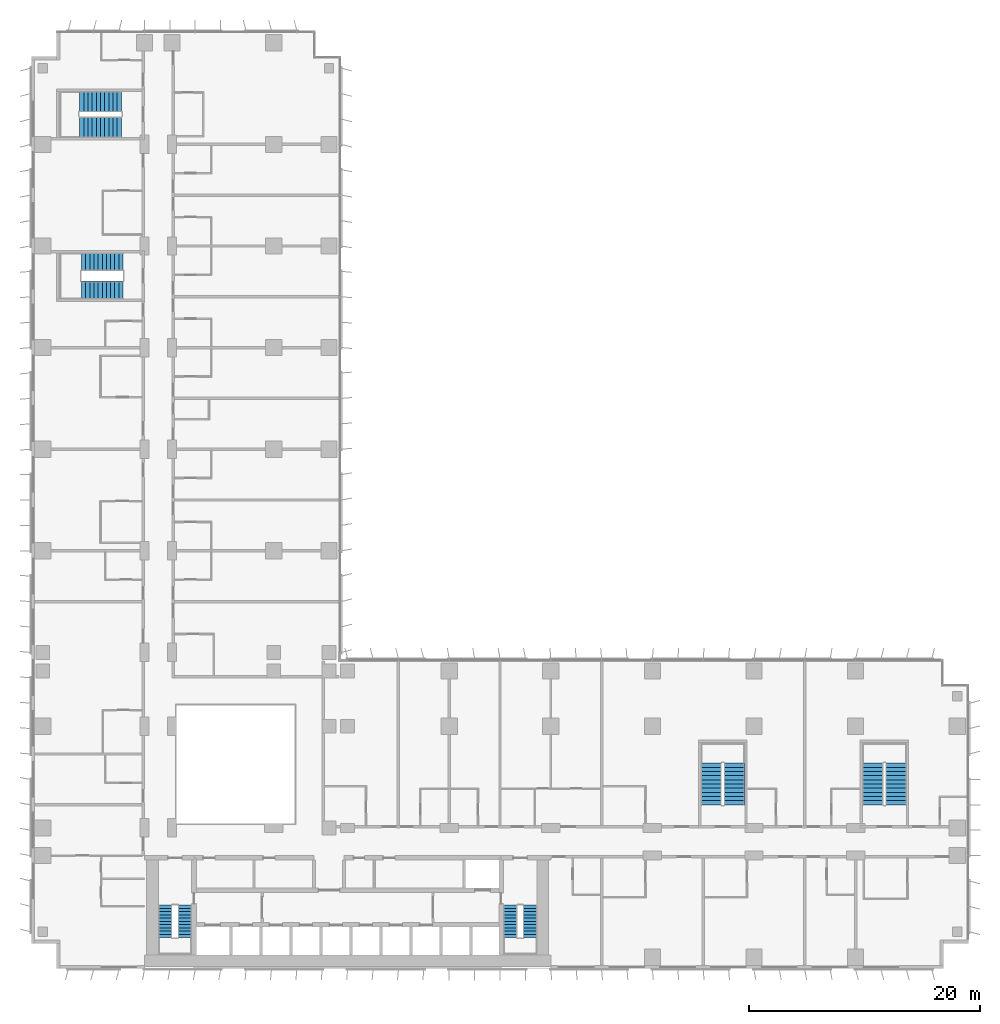
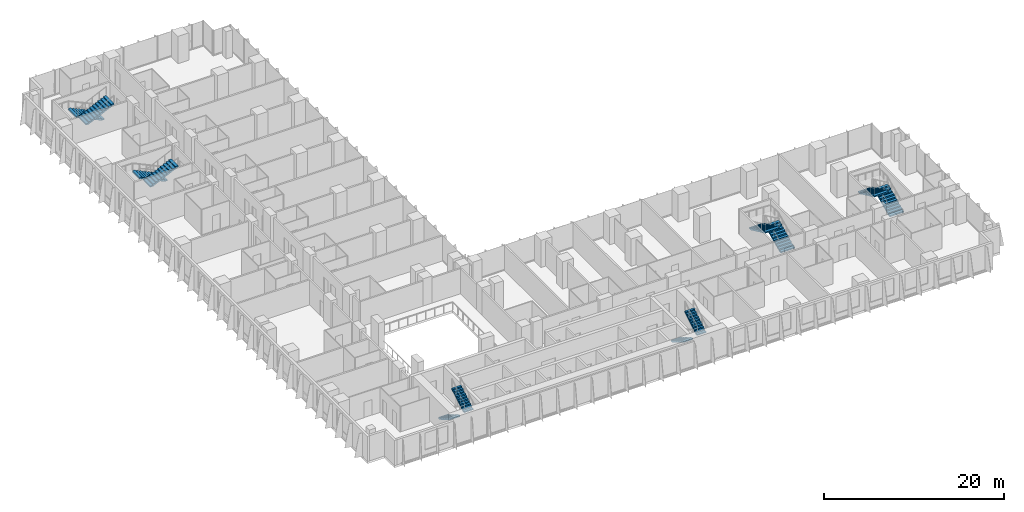
# One storey, part 20 of 24: 12 stair flights, 6 elements without a shape of their own.
"""IFC4 building model written with IfcOpenShell, lengths in metres."""

from ifc_helpers import new_model, si_unit, direction, frame, origin, place, context, subcontext, project, spatial, polyline, outline, extrude, material, type_object, element, aggregate, save


model = new_model("IFC4")

# Units and contexts
model_context = context("Model", 3, precision=1e-05, world=origin(), true_north=direction((0.0, 1.0)))
body_context = subcontext(model_context, "Body", "Model", "MODEL_VIEW")
ifc_project = project(units=[si_unit("LENGTHUNIT", "METRE"), si_unit("AREAUNIT", "SQUARE_METRE"), si_unit("VOLUMEUNIT", "CUBIC_METRE"), si_unit("PLANEANGLEUNIT", "RADIAN"), si_unit("MASSUNIT", "GRAM", prefix="KILO")], contexts=[model_context])

# Site, building, storey
site_placement = place(None, origin())
site = spatial("IfcSite", under=ifc_project, at=site_placement, CompositionType="ELEMENT")
building_placement = place(site_placement, origin())
building = spatial("IfcBuilding", under=site, at=building_placement, Name="Kemantara Hotel Tower", CompositionType="ELEMENT")
storey_placement = place(building_placement, frame((0.0, 0.0, 56.199951171875)))
storey = spatial("IfcBuildingStorey", under=building, at=storey_placement, Name="L12", CompositionType="ELEMENT", Elevation=56.199951171875)

# Stair, stair flights
ifc_material = material(Name="Concrete fc 40 MPa", Category="concrete")
stair_type_1 = type_object("IfcStairType", Name="Stair 1200 wide 22 risers of 168 x 280 mm", PredefinedType="HALF_TURN_STAIR", material=ifc_material)
stair_1_placement = place(storey_placement, origin())
stair_1 = element("IfcStair", 1, at=stair_1_placement, inside=storey, type_object=stair_type_1, Name="L12 Exit stair ST1", PredefinedType="HALF_TURN_STAIR")
stair_flight_type_1 = type_object("IfcStairFlightType", Name="Stair flight 1200 wide 168 x 280 mm", PredefinedType="STRAIGHT", material=ifc_material)
stair_flight_1_placement = place(storey_placement, frame((11.60009765625, 5.5, 0.0), z_axis=(0.0, 0.0, 1.0), x_axis=(0.0, -1.0, 0.0)))
stair_flight_1 = element("IfcStairFlight", 2, at=stair_flight_1_placement, type_object=stair_flight_type_1, Name="ST1 flight 1", NumberOfRisers=11, NumberOfTreads=10, PredefinedType="STRAIGHT", RiserHeight=0.168181818, TreadLength=0.28, context=body_context, shape_type="SweptSolid", body=[
    extrude(outline(polyline([(0.0, 0.0), (0.0, 0.168212890625), (0.280029296875, 0.168212890625), (0.280029296875, 0.33642578125), (0.56005859375, 0.33642578125), (0.56005859375, 0.504638671875), (0.840087890625, 0.504638671875), (0.840087890625, 0.672607421875), (1.1201171875, 0.672607421875), (1.1201171875, 0.8408203125), (1.39990234375, 0.8408203125), (1.39990234375, 1.009033203125), (1.679931640625, 1.009033203125), (1.679931640625, 1.17724609375), (1.9599609375, 1.17724609375), (1.9599609375, 1.345458984375), (2.239990234375, 1.345458984375), (2.239990234375, 1.513671875), (2.52001953125, 1.513671875), (2.52001953125, 1.681884765625), (2.800048828125, 1.681884765625), (2.800048828125, 1.85009765625), (2.800048828125, 1.5068359375), (0.291015625, 0.0), (0.0, 0.0)])), frame((0.0, 0.60009765625, 0.0), z_axis=(0.0, -1.0, 0.0), x_axis=(1.0, 0.0, 0.0)), (0.0, 0.0, 1.0), 1.199951171875),
])
stair_flight_2_placement = place(storey_placement, frame((13.300048828125, 2.699951171875, 1.85009765625), z_axis=(0.0, 0.0, 1.0), x_axis=(0.0, 1.0, 0.0)))
stair_flight_2 = element("IfcStairFlight", 3, at=stair_flight_2_placement, type_object=stair_flight_type_1, Name="ST1 flight 2", NumberOfRisers=11, NumberOfTreads=10, PredefinedType="STRAIGHT", RiserHeight=0.168181818, TreadLength=0.28, context=body_context, shape_type="SweptSolid", body=[
    extrude(outline(polyline([(0.0, 0.0), (0.0, 0.168212890625), (0.280029296875, 0.168212890625), (0.280029296875, 0.33642578125), (0.56005859375, 0.33642578125), (0.56005859375, 0.504638671875), (0.840087890625, 0.504638671875), (0.840087890625, 0.672607421875), (1.1201171875, 0.672607421875), (1.1201171875, 0.8408203125), (1.39990234375, 0.8408203125), (1.39990234375, 1.009033203125), (1.679931640625, 1.009033203125), (1.679931640625, 1.17724609375), (1.9599609375, 1.17724609375), (1.9599609375, 1.345458984375), (2.239990234375, 1.345458984375), (2.239990234375, 1.513671875), (2.52001953125, 1.513671875), (2.52001953125, 1.681884765625), (2.800048828125, 1.681884765625), (2.800048828125, 1.85009765625), (2.800048828125, 1.5068359375), (0.291015625, 0.0), (0.0, 0.0)])), frame((0.0, 0.60009765625, 0.0), z_axis=(0.0, -1.0, 0.0), x_axis=(1.0, 0.0, 0.0)), (0.0, 0.0, 1.0), 1.199951171875),
])
aggregate(stair_1, [stair_flight_1, stair_flight_2])

stair_2_placement = place(storey_placement, origin())
stair_2 = element("IfcStair", 4, at=stair_2_placement, inside=storey, type_object=stair_type_1, Name="L12 Exit stair ST2", PredefinedType="HALF_TURN_STAIR")
stair_flight_3_placement = place(storey_placement, frame((41.5, 5.5, 0.0), z_axis=(0.0, 0.0, 1.0), x_axis=(0.0, -1.0, 0.0)))
stair_flight_3 = element("IfcStairFlight", 5, at=stair_flight_3_placement, type_object=stair_flight_type_1, Name="ST2 flight 1", NumberOfRisers=11, NumberOfTreads=10, PredefinedType="STRAIGHT", RiserHeight=0.168181818, TreadLength=0.28, context=body_context, shape_type="SweptSolid", body=[
    extrude(outline(polyline([(0.0, 0.0), (0.0, 0.168212890625), (0.280029296875, 0.168212890625), (0.280029296875, 0.33642578125), (0.56005859375, 0.33642578125), (0.56005859375, 0.504638671875), (0.840087890625, 0.504638671875), (0.840087890625, 0.672607421875), (1.1201171875, 0.672607421875), (1.1201171875, 0.8408203125), (1.39990234375, 0.8408203125), (1.39990234375, 1.009033203125), (1.679931640625, 1.009033203125), (1.679931640625, 1.17724609375), (1.9599609375, 1.17724609375), (1.9599609375, 1.345458984375), (2.239990234375, 1.345458984375), (2.239990234375, 1.513671875), (2.52001953125, 1.513671875), (2.52001953125, 1.681884765625), (2.800048828125, 1.681884765625), (2.800048828125, 1.85009765625), (2.800048828125, 1.5068359375), (0.291015625, 0.0), (0.0, 0.0)])), frame((0.0, 0.60009765625, 0.0), z_axis=(0.0, -1.0, 0.0), x_axis=(1.0, 0.0, 0.0)), (0.0, 0.0, 1.0), 1.199951171875),
])
stair_flight_4_placement = place(storey_placement, frame((43.199951171875, 2.699951171875, 1.85009765625), z_axis=(0.0, 0.0, 1.0), x_axis=(0.0, 1.0, 0.0)))
stair_flight_4 = element("IfcStairFlight", 6, at=stair_flight_4_placement, type_object=stair_flight_type_1, Name="ST2 flight 2", NumberOfRisers=11, NumberOfTreads=10, PredefinedType="STRAIGHT", RiserHeight=0.168181818, TreadLength=0.28, context=body_context, shape_type="SweptSolid", body=[
    extrude(outline(polyline([(0.0, 0.0), (0.0, 0.168212890625), (0.280029296875, 0.168212890625), (0.280029296875, 0.33642578125), (0.56005859375, 0.33642578125), (0.56005859375, 0.504638671875), (0.840087890625, 0.504638671875), (0.840087890625, 0.672607421875), (1.1201171875, 0.672607421875), (1.1201171875, 0.8408203125), (1.39990234375, 0.8408203125), (1.39990234375, 1.009033203125), (1.679931640625, 1.009033203125), (1.679931640625, 1.17724609375), (1.9599609375, 1.17724609375), (1.9599609375, 1.345458984375), (2.239990234375, 1.345458984375), (2.239990234375, 1.513671875), (2.52001953125, 1.513671875), (2.52001953125, 1.681884765625), (2.800048828125, 1.681884765625), (2.800048828125, 1.85009765625), (2.800048828125, 1.5068359375), (0.291015625, 0.0), (0.0, 0.0)])), frame((0.0, 0.60009765625, 0.0), z_axis=(0.0, -1.0, 0.0), x_axis=(1.0, 0.0, 0.0)), (0.0, 0.0, 1.0), 1.199951171875),
])
aggregate(stair_2, [stair_flight_3, stair_flight_4])

stair_type_2 = type_object("IfcStairType", Name="Stair 1550 wide 22 risers of 168 x 360 mm", PredefinedType="HALF_TURN_STAIR", material=ifc_material)
stair_3_placement = place(storey_placement, origin())
stair_3 = element("IfcStair", 7, at=stair_3_placement, inside=storey, type_object=stair_type_2, Name="L12 Exit stair ST4", PredefinedType="HALF_TURN_STAIR")
stair_flight_type_2 = type_object("IfcStairFlightType", Name="Stair flight 1550 wide 168 x 360 mm", PredefinedType="STRAIGHT", material=ifc_material)
stair_flight_5_placement = place(storey_placement, frame((7.949951171875, 61.22509765625, 0.0), z_axis=(0.0, 0.0, 1.0), x_axis=(-1.0, 0.0, 0.0)))
stair_flight_5 = element("IfcStairFlight", 8, at=stair_flight_5_placement, type_object=stair_flight_type_2, Name="ST4 flight 1", NumberOfRisers=11, NumberOfTreads=10, PredefinedType="STRAIGHT", RiserHeight=0.168181818, TreadLength=0.36, context=body_context, shape_type="SweptSolid", body=[
    extrude(outline(polyline([(0.0, 0.0), (0.0, 0.168212890625), (0.360107421875, 0.168212890625), (0.360107421875, 0.33642578125), (0.719970703125, 0.33642578125), (0.719970703125, 0.504638671875), (1.080078125, 0.504638671875), (1.080078125, 0.672607421875), (1.43994140625, 0.672607421875), (1.43994140625, 0.8408203125), (1.800048828125, 0.8408203125), (1.800048828125, 1.009033203125), (2.159912109375, 1.009033203125), (2.159912109375, 1.17724609375), (2.52001953125, 1.17724609375), (2.52001953125, 1.345458984375), (2.8798828125, 1.345458984375), (2.8798828125, 1.513671875), (3.239990234375, 1.513671875), (3.239990234375, 1.681884765625), (3.60009765625, 1.681884765625), (3.60009765625, 1.85009765625), (3.60009765625, 1.516357421875), (0.354248046875, 0.0), (0.0, 0.0)])), frame((0.0, 0.77490234375, 0.0), z_axis=(0.0, -1.0, 0.0), x_axis=(1.0, 0.0, 0.0)), (0.0, 0.0, 1.0), 1.550048828125),
])
stair_flight_6_placement = place(storey_placement, frame((4.35009765625, 58.77490234375, 1.85009765625), z_axis=(0.0, 0.0, 1.0), x_axis=(1.0, 0.0, 0.0)))
stair_flight_6 = element("IfcStairFlight", 9, at=stair_flight_6_placement, type_object=stair_flight_type_2, Name="ST4 flight 2", NumberOfRisers=11, NumberOfTreads=10, PredefinedType="STRAIGHT", RiserHeight=0.168181818, TreadLength=0.36, context=body_context, shape_type="SweptSolid", body=[
    extrude(outline(polyline([(0.0, 0.0), (0.0, 0.168212890625), (0.360107421875, 0.168212890625), (0.360107421875, 0.33642578125), (0.719970703125, 0.33642578125), (0.719970703125, 0.504638671875), (1.080078125, 0.504638671875), (1.080078125, 0.672607421875), (1.43994140625, 0.672607421875), (1.43994140625, 0.8408203125), (1.800048828125, 0.8408203125), (1.800048828125, 1.009033203125), (2.159912109375, 1.009033203125), (2.159912109375, 1.17724609375), (2.52001953125, 1.17724609375), (2.52001953125, 1.345458984375), (2.8798828125, 1.345458984375), (2.8798828125, 1.513671875), (3.239990234375, 1.513671875), (3.239990234375, 1.681884765625), (3.60009765625, 1.681884765625), (3.60009765625, 1.85009765625), (3.60009765625, 1.516357421875), (0.354248046875, 0.0), (0.0, 0.0)])), frame((0.0, 0.77490234375, 0.0), z_axis=(0.0, -1.0, 0.0), x_axis=(1.0, 0.0, 0.0)), (0.0, 0.0, 1.0), 1.550048828125),
])
aggregate(stair_3, [stair_flight_5, stair_flight_6])

stair_type_3 = type_object("IfcStairType", Name="Stair 1800 wide 22 risers of 168 x 360 mm", PredefinedType="HALF_TURN_STAIR", material=ifc_material)
stair_4_placement = place(storey_placement, origin())
stair_4 = element("IfcStair", 10, at=stair_4_placement, inside=storey, type_object=stair_type_3, Name="L12 Exit stair ST3", PredefinedType="HALF_TURN_STAIR")
stair_flight_type_3 = type_object("IfcStairFlightType", Name="Stair flight 1800 wide 168 x 360 mm", PredefinedType="STRAIGHT", material=ifc_material)
stair_flight_7_placement = place(storey_placement, frame((60.89990234375, 14.199951171875, 0.0), z_axis=(0.0, 0.0, 1.0), x_axis=(0.0, 1.0, 0.0)))
stair_flight_7 = element("IfcStairFlight", 11, at=stair_flight_7_placement, type_object=stair_flight_type_3, Name="ST3 flight 1", NumberOfRisers=11, NumberOfTreads=10, PredefinedType="STRAIGHT", RiserHeight=0.168181818, TreadLength=0.36, context=body_context, shape_type="SweptSolid", body=[
    extrude(outline(polyline([(0.0, 0.0), (0.0, 0.168212890625), (0.360107421875, 0.168212890625), (0.360107421875, 0.33642578125), (0.719970703125, 0.33642578125), (0.719970703125, 0.504638671875), (1.080078125, 0.504638671875), (1.080078125, 0.672607421875), (1.43994140625, 0.672607421875), (1.43994140625, 0.8408203125), (1.800048828125, 0.8408203125), (1.800048828125, 1.009033203125), (2.159912109375, 1.009033203125), (2.159912109375, 1.17724609375), (2.52001953125, 1.17724609375), (2.52001953125, 1.345458984375), (2.8798828125, 1.345458984375), (2.8798828125, 1.513671875), (3.239990234375, 1.513671875), (3.239990234375, 1.681884765625), (3.60009765625, 1.681884765625), (3.60009765625, 1.85009765625), (3.60009765625, 1.516357421875), (0.354248046875, 0.0), (0.0, 0.0)])), frame((0.0, 0.89990234375, 0.0), z_axis=(0.0, -1.0, 0.0), x_axis=(1.0, 0.0, 0.0)), (0.0, 0.0, 1.0), 1.800048828125),
])
stair_flight_8_placement = place(storey_placement, frame((58.89990234375, 17.800048828125, 1.85009765625), z_axis=(0.0, 0.0, 1.0), x_axis=(0.0, -1.0, 0.0)))
stair_flight_8 = element("IfcStairFlight", 12, at=stair_flight_8_placement, type_object=stair_flight_type_3, Name="ST3 flight 2", NumberOfRisers=11, NumberOfTreads=10, PredefinedType="STRAIGHT", RiserHeight=0.168181818, TreadLength=0.36, context=body_context, shape_type="SweptSolid", body=[
    extrude(outline(polyline([(0.0, 0.0), (0.0, 0.168212890625), (0.360107421875, 0.168212890625), (0.360107421875, 0.33642578125), (0.719970703125, 0.33642578125), (0.719970703125, 0.504638671875), (1.080078125, 0.504638671875), (1.080078125, 0.672607421875), (1.43994140625, 0.672607421875), (1.43994140625, 0.8408203125), (1.800048828125, 0.8408203125), (1.800048828125, 1.009033203125), (2.159912109375, 1.009033203125), (2.159912109375, 1.17724609375), (2.52001953125, 1.17724609375), (2.52001953125, 1.345458984375), (2.8798828125, 1.345458984375), (2.8798828125, 1.513671875), (3.239990234375, 1.513671875), (3.239990234375, 1.681884765625), (3.60009765625, 1.681884765625), (3.60009765625, 1.85009765625), (3.60009765625, 1.516357421875), (0.354248046875, 0.0), (0.0, 0.0)])), frame((0.0, 0.89990234375, 0.0), z_axis=(0.0, -1.0, 0.0), x_axis=(1.0, 0.0, 0.0)), (0.0, 0.0, 1.0), 1.800048828125),
])
aggregate(stair_4, [stair_flight_7, stair_flight_8])

stair_5_placement = place(storey_placement, origin())
stair_5 = element("IfcStair", 13, at=stair_5_placement, inside=storey, type_object=stair_type_3, Name="L12 Exit stair ST5", PredefinedType="HALF_TURN_STAIR")
stair_flight_9_placement = place(storey_placement, frame((74.89990234375, 14.199951171875, 0.0), z_axis=(0.0, 0.0, 1.0), x_axis=(0.0, 1.0, 0.0)))
stair_flight_9 = element("IfcStairFlight", 14, at=stair_flight_9_placement, type_object=stair_flight_type_3, Name="ST5 flight 1", NumberOfRisers=11, NumberOfTreads=10, PredefinedType="STRAIGHT", RiserHeight=0.168181818, TreadLength=0.36, context=body_context, shape_type="SweptSolid", body=[
    extrude(outline(polyline([(0.0, 0.0), (0.0, 0.168212890625), (0.360107421875, 0.168212890625), (0.360107421875, 0.33642578125), (0.719970703125, 0.33642578125), (0.719970703125, 0.504638671875), (1.080078125, 0.504638671875), (1.080078125, 0.672607421875), (1.43994140625, 0.672607421875), (1.43994140625, 0.8408203125), (1.800048828125, 0.8408203125), (1.800048828125, 1.009033203125), (2.159912109375, 1.009033203125), (2.159912109375, 1.17724609375), (2.52001953125, 1.17724609375), (2.52001953125, 1.345458984375), (2.8798828125, 1.345458984375), (2.8798828125, 1.513671875), (3.239990234375, 1.513671875), (3.239990234375, 1.681884765625), (3.60009765625, 1.681884765625), (3.60009765625, 1.85009765625), (3.60009765625, 1.516357421875), (0.354248046875, 0.0), (0.0, 0.0)])), frame((0.0, 0.89990234375, 0.0), z_axis=(0.0, -1.0, 0.0), x_axis=(1.0, 0.0, 0.0)), (0.0, 0.0, 1.0), 1.800048828125),
])
stair_flight_10_placement = place(storey_placement, frame((72.89990234375, 17.800048828125, 1.85009765625), z_axis=(0.0, 0.0, 1.0), x_axis=(0.0, -1.0, 0.0)))
stair_flight_10 = element("IfcStairFlight", 15, at=stair_flight_10_placement, type_object=stair_flight_type_3, Name="ST5 flight 2", NumberOfRisers=11, NumberOfTreads=10, PredefinedType="STRAIGHT", RiserHeight=0.168181818, TreadLength=0.36, context=body_context, shape_type="SweptSolid", body=[
    extrude(outline(polyline([(0.0, 0.0), (0.0, 0.168212890625), (0.360107421875, 0.168212890625), (0.360107421875, 0.33642578125), (0.719970703125, 0.33642578125), (0.719970703125, 0.504638671875), (1.080078125, 0.504638671875), (1.080078125, 0.672607421875), (1.43994140625, 0.672607421875), (1.43994140625, 0.8408203125), (1.800048828125, 0.8408203125), (1.800048828125, 1.009033203125), (2.159912109375, 1.009033203125), (2.159912109375, 1.17724609375), (2.52001953125, 1.17724609375), (2.52001953125, 1.345458984375), (2.8798828125, 1.345458984375), (2.8798828125, 1.513671875), (3.239990234375, 1.513671875), (3.239990234375, 1.681884765625), (3.60009765625, 1.681884765625), (3.60009765625, 1.85009765625), (3.60009765625, 1.516357421875), (0.354248046875, 0.0), (0.0, 0.0)])), frame((0.0, 0.89990234375, 0.0), z_axis=(0.0, -1.0, 0.0), x_axis=(1.0, 0.0, 0.0)), (0.0, 0.0, 1.0), 1.800048828125),
])
aggregate(stair_5, [stair_flight_9, stair_flight_10])

stair_6_placement = place(storey_placement, origin())
stair_6 = element("IfcStair", 16, at=stair_6_placement, inside=storey, type_object=stair_type_3, Name="L12 Exit stair ST6", PredefinedType="HALF_TURN_STAIR")
stair_flight_11_placement = place(storey_placement, frame((7.800048828125, 75.10009765625, 0.0), z_axis=(0.0, 0.0, 1.0), x_axis=(-1.0, 0.0, 0.0)))
stair_flight_11 = element("IfcStairFlight", 17, at=stair_flight_11_placement, type_object=stair_flight_type_3, Name="ST6 flight 1", NumberOfRisers=11, NumberOfTreads=10, PredefinedType="STRAIGHT", RiserHeight=0.168181818, TreadLength=0.36, context=body_context, shape_type="SweptSolid", body=[
    extrude(outline(polyline([(0.0, 0.0), (0.0, 0.168212890625), (0.360107421875, 0.168212890625), (0.360107421875, 0.33642578125), (0.719970703125, 0.33642578125), (0.719970703125, 0.504638671875), (1.080078125, 0.504638671875), (1.080078125, 0.672607421875), (1.43994140625, 0.672607421875), (1.43994140625, 0.8408203125), (1.800048828125, 0.8408203125), (1.800048828125, 1.009033203125), (2.159912109375, 1.009033203125), (2.159912109375, 1.17724609375), (2.52001953125, 1.17724609375), (2.52001953125, 1.345458984375), (2.8798828125, 1.345458984375), (2.8798828125, 1.513671875), (3.239990234375, 1.513671875), (3.239990234375, 1.681884765625), (3.60009765625, 1.681884765625), (3.60009765625, 1.85009765625), (3.60009765625, 1.516357421875), (0.354248046875, 0.0), (0.0, 0.0)])), frame((0.0, 0.89990234375, 0.0), z_axis=(0.0, -1.0, 0.0), x_axis=(1.0, 0.0, 0.0)), (0.0, 0.0, 1.0), 1.800048828125),
])
stair_flight_12_placement = place(storey_placement, frame((4.199951171875, 72.89990234375, 1.85009765625), z_axis=(0.0, 0.0, 1.0), x_axis=(1.0, 0.0, 0.0)))
stair_flight_12 = element("IfcStairFlight", 18, at=stair_flight_12_placement, type_object=stair_flight_type_3, Name="ST6 flight 2", NumberOfRisers=11, NumberOfTreads=10, PredefinedType="STRAIGHT", RiserHeight=0.168181818, TreadLength=0.36, context=body_context, shape_type="SweptSolid", body=[
    extrude(outline(polyline([(0.0, 0.0), (0.0, 0.168212890625), (0.360107421875, 0.168212890625), (0.360107421875, 0.33642578125), (0.719970703125, 0.33642578125), (0.719970703125, 0.504638671875), (1.080078125, 0.504638671875), (1.080078125, 0.672607421875), (1.43994140625, 0.672607421875), (1.43994140625, 0.8408203125), (1.800048828125, 0.8408203125), (1.800048828125, 1.009033203125), (2.159912109375, 1.009033203125), (2.159912109375, 1.17724609375), (2.52001953125, 1.17724609375), (2.52001953125, 1.345458984375), (2.8798828125, 1.345458984375), (2.8798828125, 1.513671875), (3.239990234375, 1.513671875), (3.239990234375, 1.681884765625), (3.60009765625, 1.681884765625), (3.60009765625, 1.85009765625), (3.60009765625, 1.516357421875), (0.354248046875, 0.0), (0.0, 0.0)])), frame((0.0, 0.89990234375, 0.0), z_axis=(0.0, -1.0, 0.0), x_axis=(1.0, 0.0, 0.0)), (0.0, 0.0, 1.0), 1.800048828125),
])
aggregate(stair_6, [stair_flight_11, stair_flight_12])

save(model, "model.ifc")
